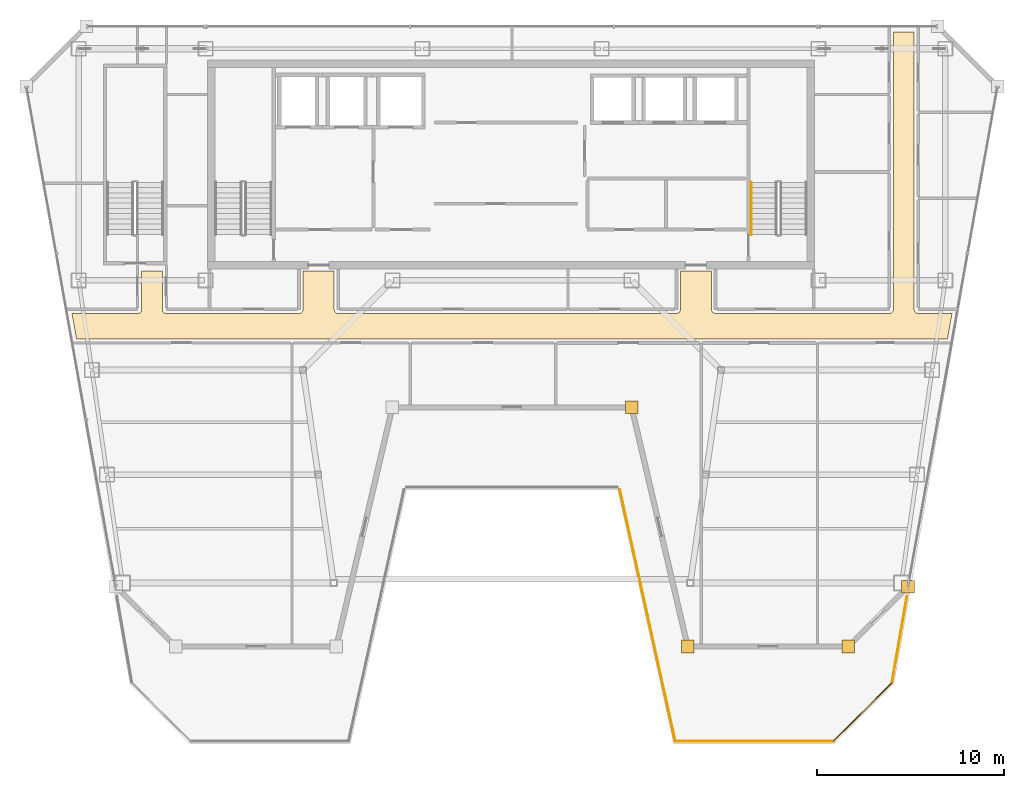
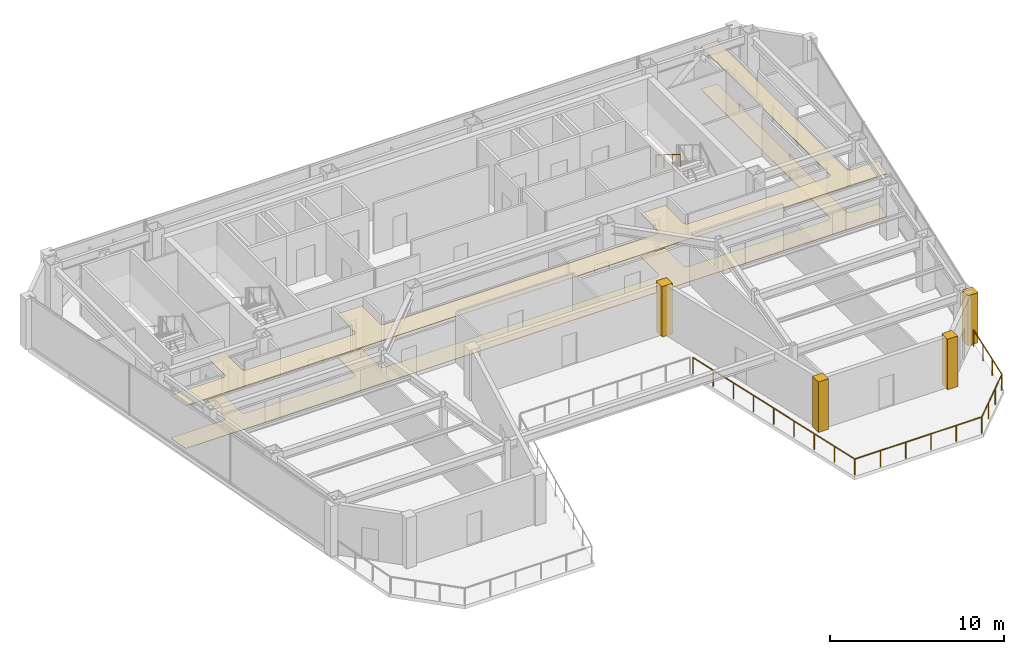
# One storey, part 26 of 28: 6 coverings, 5 railings.
"""IFC4 building model written with IfcOpenShell, lengths in metres."""

from ifc_helpers import new_model, si_unit, direction, frame, origin, origin_2d, place, context, subcontext, project, spatial, polyline, circle, outline, extrude, material, layer, layer_set, type_object, element, save


model = new_model("IFC4")

# Units and contexts
model_context = context("Model", 3, precision=1e-05, world=origin(), true_north=direction((0.0, 1.0)))
body_context = subcontext(model_context, "Body", "Model", "MODEL_VIEW")
ifc_project = project(units=[si_unit("LENGTHUNIT", "METRE"), si_unit("AREAUNIT", "SQUARE_METRE"), si_unit("VOLUMEUNIT", "CUBIC_METRE"), si_unit("PLANEANGLEUNIT", "RADIAN"), si_unit("MASSUNIT", "GRAM", prefix="KILO")], contexts=[model_context])

# Site, building, storey
site_placement = place(None, origin())
site = spatial("IfcSite", under=ifc_project, at=site_placement, CompositionType="ELEMENT")
building_placement = place(site_placement, origin())
building = spatial("IfcBuilding", under=site, at=building_placement, Name="Saevonmaru Cultural Tower", CompositionType="ELEMENT")
storey_placement = place(building_placement, frame((0.0, 0.0, 253.39990234375)))
storey = spatial("IfcBuildingStorey", under=building, at=storey_placement, Name="L59", CompositionType="ELEMENT", Elevation=253.39990234375)

# Coverings
ifc_material_1 = material(Name="Mineral Fibre Acoustic Ceiling", Category="gypsum")
ifc_layer_1 = layer(ifc_material_1, 0.044921875, Name="Mineral Fibre Acoustic Ceiling")
ifc_layer_set_1 = layer_set([ifc_layer_1], Name="Mineral Fibre Acoustic Ceiling")
covering_type_1 = type_object("IfcCoveringType", Name="CV-CEIL-ACOUSTIC", PredefinedType="CEILING", material=ifc_layer_set_1)
covering_1_placement = place(storey_placement, frame((0.0, 0.0, 3.0)))
element("IfcCovering", 1, at=covering_1_placement, inside=storey, type_object=covering_type_1, Name="L59 Corridor Acoustic Ceiling", PredefinedType="CEILING", context=body_context, shape_type="SweptSolid", body=[
    extrude(outline(polyline([(6.68505859375, 39.27001953125), (6.44189453125, 40.6298828125), (9.949951171875, 40.6298828125), (9.971923828125, 40.631103515625), (9.992919921875, 40.634033203125), (10.013916015625, 40.638916015625), (10.033935546875, 40.64697265625), (10.053955078125, 40.656005859375), (10.072021484375, 40.6669921875), (10.090087890625, 40.679931640625), (10.10595703125, 40.694091796875), (10.1201171875, 40.7099609375), (10.133056640625, 40.72802734375), (10.14404296875, 40.74609375), (10.153076171875, 40.76611328125), (10.160888671875, 40.785888671875), (10.166015625, 40.806884765625), (10.1689453125, 40.827880859375), (10.169921875, 40.85009765625), (10.169921875, 42.889892578125), (11.280029296875, 42.889892578125), (11.280029296875, 40.85009765625), (11.281005859375, 40.827880859375), (11.283935546875, 40.806884765625), (11.2890625, 40.785888671875), (11.297119140625, 40.76611328125), (11.305908203125, 40.74609375), (11.31689453125, 40.72802734375), (11.330078125, 40.7099609375), (11.343994140625, 40.694091796875), (11.360107421875, 40.679931640625), (11.3779296875, 40.6669921875), (11.39599609375, 40.656005859375), (11.416015625, 40.64697265625), (11.43603515625, 40.638916015625), (11.45703125, 40.634033203125), (11.47802734375, 40.631103515625), (11.5, 40.6298828125), (18.60009765625, 40.6298828125), (18.6220703125, 40.631103515625), (18.64306640625, 40.634033203125), (18.6640625, 40.638916015625), (18.68408203125, 40.64697265625), (18.7041015625, 40.656005859375), (18.721923828125, 40.6669921875), (18.739990234375, 40.679931640625), (18.756103515625, 40.694091796875), (18.77001953125, 40.7099609375), (18.782958984375, 40.72802734375), (18.7939453125, 40.74609375), (18.802978515625, 40.76611328125), (18.81103515625, 40.785888671875), (18.81591796875, 40.806884765625), (18.819091796875, 40.827880859375), (18.820068359375, 40.85009765625), (18.820068359375, 42.889892578125), (20.47998046875, 42.889892578125), (20.47998046875, 40.85009765625), (20.48095703125, 40.827880859375), (20.48388671875, 40.806884765625), (20.489013671875, 40.785888671875), (20.4970703125, 40.76611328125), (20.506103515625, 40.74609375), (20.51708984375, 40.72802734375), (20.530029296875, 40.7099609375), (20.5439453125, 40.694091796875), (20.56005859375, 40.679931640625), (20.577880859375, 40.6669921875), (20.595947265625, 40.656005859375), (20.615966796875, 40.64697265625), (20.635986328125, 40.638916015625), (20.656982421875, 40.634033203125), (20.677978515625, 40.631103515625), (20.699951171875, 40.6298828125), (38.800048828125, 40.6298828125), (38.822021484375, 40.631103515625), (38.843017578125, 40.634033203125), (38.864013671875, 40.638916015625), (38.884033203125, 40.64697265625), (38.904052734375, 40.656005859375), (38.922119140625, 40.6669921875), (38.93994140625, 40.679931640625), (38.9560546875, 40.694091796875), (38.969970703125, 40.7099609375), (38.98291015625, 40.72802734375), (38.993896484375, 40.74609375), (39.0029296875, 40.76611328125), (39.010986328125, 40.785888671875), (39.01611328125, 40.806884765625), (39.01904296875, 40.827880859375), (39.02001953125, 40.85009765625), (39.02001953125, 42.889892578125), (40.679931640625, 42.889892578125), (40.679931640625, 40.85009765625), (40.680908203125, 40.827880859375), (40.68408203125, 40.806884765625), (40.68896484375, 40.785888671875), (40.697021484375, 40.76611328125), (40.7060546875, 40.74609375), (40.717041015625, 40.72802734375), (40.72998046875, 40.7099609375), (40.743896484375, 40.694091796875), (40.760009765625, 40.679931640625), (40.778076171875, 40.6669921875), (40.7958984375, 40.656005859375), (40.81591796875, 40.64697265625), (40.8359375, 40.638916015625), (40.85693359375, 40.634033203125), (40.8779296875, 40.631103515625), (40.89990234375, 40.6298828125), (50.199951171875, 40.6298828125), (50.221923828125, 40.631103515625), (50.242919921875, 40.634033203125), (50.263916015625, 40.638916015625), (50.283935546875, 40.64697265625), (50.303955078125, 40.656005859375), (50.322021484375, 40.6669921875), (50.340087890625, 40.679931640625), (50.35595703125, 40.694091796875), (50.3701171875, 40.7099609375), (50.383056640625, 40.72802734375), (50.39404296875, 40.74609375), (50.403076171875, 40.76611328125), (50.410888671875, 40.785888671875), (50.416015625, 40.806884765625), (50.4189453125, 40.827880859375), (50.419921875, 40.85009765625), (50.419921875, 55.699951171875), (51.530029296875, 55.699951171875), (51.530029296875, 40.85009765625), (51.531005859375, 40.827880859375), (51.533935546875, 40.806884765625), (51.5390625, 40.785888671875), (51.547119140625, 40.76611328125), (51.555908203125, 40.74609375), (51.56689453125, 40.72802734375), (51.580078125, 40.7099609375), (51.593994140625, 40.694091796875), (51.610107421875, 40.679931640625), (51.6279296875, 40.6669921875), (51.64599609375, 40.656005859375), (51.666015625, 40.64697265625), (51.68603515625, 40.638916015625), (51.70703125, 40.634033203125), (51.72802734375, 40.631103515625), (51.75, 40.6298828125), (53.55810546875, 40.6298828125), (53.31494140625, 39.27001953125), (6.68505859375, 39.27001953125)])), origin(), (0.0, 0.0, 1.0), 0.045166015625),
])
ifc_material_2 = material(Name="Satin Bronze Anodised Aluminium", Category="aluminium")
ifc_layer_2 = layer(ifc_material_2, 0.679931640625, Name="Satin Bronze Anodised Aluminium")
ifc_layer_set_2 = layer_set([ifc_layer_2], Name="Satin Bronze Anodised Aluminium")
covering_type_2 = type_object("IfcCoveringType", Name="CV-CORNER-CLAD", PredefinedType="CLADDING", material=ifc_layer_set_2)
covering_2_placement = place(storey_placement, origin())
element("IfcCovering", 2, at=covering_2_placement, inside=storey, type_object=covering_type_2, Name="L59 Tower Bronze Corner Cladding Pier 5", PredefinedType="CLADDING", context=body_context, shape_type="SweptSolid", body=[
    extrude(outline(polyline([(36.06396484375, 35.260009765625), (36.743896484375, 35.260009765625), (36.743896484375, 35.93994140625), (36.06396484375, 35.93994140625), (36.06396484375, 35.260009765625)])), origin(), (0.0, 0.0, 1.0), 3.550048828125),
])
covering_3_placement = place(storey_placement, origin())
element("IfcCovering", 3, at=covering_3_placement, inside=storey, type_object=covering_type_2, Name="L59 Tower Bronze Corner Cladding Pier 6", PredefinedType="CLADDING", context=body_context, shape_type="SweptSolid", body=[
    extrude(outline(polyline([(39.06396484375, 22.4599609375), (39.743896484375, 22.4599609375), (39.743896484375, 23.139892578125), (39.06396484375, 23.139892578125), (39.06396484375, 22.4599609375)])), origin(), (0.0, 0.0, 1.0), 3.550048828125),
])
covering_4_placement = place(storey_placement, origin())
element("IfcCovering", 4, at=covering_4_placement, inside=storey, type_object=covering_type_2, Name="L59 Tower Bronze Corner Cladding Pier 7", PredefinedType="CLADDING", context=body_context, shape_type="SweptSolid", body=[
    extrude(outline(polyline([(47.6640625, 22.4599609375), (48.343994140625, 22.4599609375), (48.343994140625, 23.139892578125), (47.6640625, 23.139892578125), (47.6640625, 22.4599609375)])), origin(), (0.0, 0.0, 1.0), 3.550048828125),
])
covering_5_placement = place(storey_placement, origin())
element("IfcCovering", 5, at=covering_5_placement, inside=storey, type_object=covering_type_2, Name="L59 Tower Bronze Corner Cladding Pier 8", PredefinedType="CLADDING", context=body_context, shape_type="SweptSolid", body=[
    extrude(outline(polyline([(50.864013671875, 25.659912109375), (51.5439453125, 25.659912109375), (51.5439453125, 26.340087890625), (50.864013671875, 26.340087890625), (50.864013671875, 25.659912109375)])), origin(), (0.0, 0.0, 1.0), 3.550048828125),
])
ifc_material_3 = material(Name="Honed Granite Terrazzo", Category="masonry")
ifc_layer_3 = layer(ifc_material_3, 0.030029296875, Name="Honed Granite Terrazzo")
ifc_layer_set_3 = layer_set([ifc_layer_3], Name="Honed Granite Terrazzo")
covering_type_3 = type_object("IfcCoveringType", Name="CV-FLR-TERRAZZO", PredefinedType="FLOORING", material=ifc_layer_set_3)
covering_6_placement = place(storey_placement, origin())
element("IfcCovering", 6, at=covering_6_placement, inside=storey, type_object=covering_type_3, Name="L59 Corridor Terrazzo Flooring", PredefinedType="FLOORING", context=body_context, shape_type="SweptSolid", body=[
    extrude(outline(polyline([(6.68505859375, 39.27001953125), (6.44189453125, 40.6298828125), (9.949951171875, 40.6298828125), (9.971923828125, 40.631103515625), (9.992919921875, 40.634033203125), (10.013916015625, 40.638916015625), (10.033935546875, 40.64697265625), (10.053955078125, 40.656005859375), (10.072021484375, 40.6669921875), (10.090087890625, 40.679931640625), (10.10595703125, 40.694091796875), (10.1201171875, 40.7099609375), (10.133056640625, 40.72802734375), (10.14404296875, 40.74609375), (10.153076171875, 40.76611328125), (10.160888671875, 40.785888671875), (10.166015625, 40.806884765625), (10.1689453125, 40.827880859375), (10.169921875, 40.85009765625), (10.169921875, 42.889892578125), (11.280029296875, 42.889892578125), (11.280029296875, 40.85009765625), (11.281005859375, 40.827880859375), (11.283935546875, 40.806884765625), (11.2890625, 40.785888671875), (11.297119140625, 40.76611328125), (11.305908203125, 40.74609375), (11.31689453125, 40.72802734375), (11.330078125, 40.7099609375), (11.343994140625, 40.694091796875), (11.360107421875, 40.679931640625), (11.3779296875, 40.6669921875), (11.39599609375, 40.656005859375), (11.416015625, 40.64697265625), (11.43603515625, 40.638916015625), (11.45703125, 40.634033203125), (11.47802734375, 40.631103515625), (11.5, 40.6298828125), (18.60009765625, 40.6298828125), (18.6220703125, 40.631103515625), (18.64306640625, 40.634033203125), (18.6640625, 40.638916015625), (18.68408203125, 40.64697265625), (18.7041015625, 40.656005859375), (18.721923828125, 40.6669921875), (18.739990234375, 40.679931640625), (18.756103515625, 40.694091796875), (18.77001953125, 40.7099609375), (18.782958984375, 40.72802734375), (18.7939453125, 40.74609375), (18.802978515625, 40.76611328125), (18.81103515625, 40.785888671875), (18.81591796875, 40.806884765625), (18.819091796875, 40.827880859375), (18.820068359375, 40.85009765625), (18.820068359375, 42.889892578125), (20.47998046875, 42.889892578125), (20.47998046875, 40.85009765625), (20.48095703125, 40.827880859375), (20.48388671875, 40.806884765625), (20.489013671875, 40.785888671875), (20.4970703125, 40.76611328125), (20.506103515625, 40.74609375), (20.51708984375, 40.72802734375), (20.530029296875, 40.7099609375), (20.5439453125, 40.694091796875), (20.56005859375, 40.679931640625), (20.577880859375, 40.6669921875), (20.595947265625, 40.656005859375), (20.615966796875, 40.64697265625), (20.635986328125, 40.638916015625), (20.656982421875, 40.634033203125), (20.677978515625, 40.631103515625), (20.699951171875, 40.6298828125), (38.800048828125, 40.6298828125), (38.822021484375, 40.631103515625), (38.843017578125, 40.634033203125), (38.864013671875, 40.638916015625), (38.884033203125, 40.64697265625), (38.904052734375, 40.656005859375), (38.922119140625, 40.6669921875), (38.93994140625, 40.679931640625), (38.9560546875, 40.694091796875), (38.969970703125, 40.7099609375), (38.98291015625, 40.72802734375), (38.993896484375, 40.74609375), (39.0029296875, 40.76611328125), (39.010986328125, 40.785888671875), (39.01611328125, 40.806884765625), (39.01904296875, 40.827880859375), (39.02001953125, 40.85009765625), (39.02001953125, 42.889892578125), (40.679931640625, 42.889892578125), (40.679931640625, 40.85009765625), (40.680908203125, 40.827880859375), (40.68408203125, 40.806884765625), (40.68896484375, 40.785888671875), (40.697021484375, 40.76611328125), (40.7060546875, 40.74609375), (40.717041015625, 40.72802734375), (40.72998046875, 40.7099609375), (40.743896484375, 40.694091796875), (40.760009765625, 40.679931640625), (40.778076171875, 40.6669921875), (40.7958984375, 40.656005859375), (40.81591796875, 40.64697265625), (40.8359375, 40.638916015625), (40.85693359375, 40.634033203125), (40.8779296875, 40.631103515625), (40.89990234375, 40.6298828125), (50.199951171875, 40.6298828125), (50.221923828125, 40.631103515625), (50.242919921875, 40.634033203125), (50.263916015625, 40.638916015625), (50.283935546875, 40.64697265625), (50.303955078125, 40.656005859375), (50.322021484375, 40.6669921875), (50.340087890625, 40.679931640625), (50.35595703125, 40.694091796875), (50.3701171875, 40.7099609375), (50.383056640625, 40.72802734375), (50.39404296875, 40.74609375), (50.403076171875, 40.76611328125), (50.410888671875, 40.785888671875), (50.416015625, 40.806884765625), (50.4189453125, 40.827880859375), (50.419921875, 40.85009765625), (50.419921875, 55.699951171875), (51.530029296875, 55.699951171875), (51.530029296875, 40.85009765625), (51.531005859375, 40.827880859375), (51.533935546875, 40.806884765625), (51.5390625, 40.785888671875), (51.547119140625, 40.76611328125), (51.555908203125, 40.74609375), (51.56689453125, 40.72802734375), (51.580078125, 40.7099609375), (51.593994140625, 40.694091796875), (51.610107421875, 40.679931640625), (51.6279296875, 40.6669921875), (51.64599609375, 40.656005859375), (51.666015625, 40.64697265625), (51.68603515625, 40.638916015625), (51.70703125, 40.634033203125), (51.72802734375, 40.631103515625), (51.75, 40.6298828125), (53.55810546875, 40.6298828125), (53.31494140625, 39.27001953125), (6.68505859375, 39.27001953125)])), origin(), (0.0, 0.0, 1.0), 0.030029296875),
])

# Railings
railing_type_1 = type_object("IfcRailingType", Name="RL-BALUSTRADE-1150", PredefinedType="BALUSTRADE", material=ifc_material_2)
railing_1_placement = place(storey_placement, frame((51.146484375, 25.501220703125, 0.0)))
element("IfcRailing", 7, at=railing_1_placement, inside=storey, type_object=railing_type_1, Name="L59 Setback Terrace Balustrade 1-1", PredefinedType="BALUSTRADE", context=body_context, shape_type="SweptSolid", body=[
    extrude(circle(Radius=0.02392578125, at=origin_2d()), frame((0.0, 0.0, 1.1259765625), z_axis=(-0.170706578464, -0.985321908855, 0.0), x_axis=(0.985321908855, -0.170706578464, 0.0)), (0.0, 0.0, 1.0), 4.6923828125),
    extrude(circle(Radius=0.02099609375, at=origin_2d()), origin(), (0.0, 0.0, 1.0), 1.101806640625),
    extrude(circle(Radius=0.02099609375, at=origin_2d()), frame((-0.26708984375, -1.541259765625, 0.0)), (0.0, 0.0, 1.0), 1.101806640625),
    extrude(circle(Radius=0.02099609375, at=origin_2d()), frame((-0.533935546875, -3.082275390625, 0.0)), (0.0, 0.0, 1.0), 1.101806640625),
    extrude(circle(Radius=0.02099609375, at=origin_2d()), frame((-0.801025390625, -4.62353515625, 0.0)), (0.0, 0.0, 1.0), 1.101806640625),
])
railing_2_placement = place(storey_placement, frame((50.327880859375, 20.843994140625, 0.0)))
element("IfcRailing", 8, at=railing_2_placement, inside=storey, type_object=railing_type_1, Name="L59 Setback Terrace Balustrade 1-2", PredefinedType="BALUSTRADE", context=body_context, shape_type="SweptSolid", body=[
    extrude(circle(Radius=0.02392578125, at=origin_2d()), frame((0.0, 0.0, 1.1259765625), z_axis=(-0.707106781187, -0.707106781187, 0.0), x_axis=(0.707106781187, -0.707106781187, 0.0)), (0.0, 0.0, 1.0), 4.39794921875),
    extrude(circle(Radius=0.02099609375, at=origin_2d()), origin(), (0.0, 0.0, 1.0), 1.101806640625),
    extrude(circle(Radius=0.02099609375, at=origin_2d()), frame((-1.03662109375, -1.03662109375, 0.0)), (0.0, 0.0, 1.0), 1.101806640625),
    extrude(circle(Radius=0.02099609375, at=origin_2d()), frame((-2.0732421875, -2.0732421875, 0.0)), (0.0, 0.0, 1.0), 1.101806640625),
    extrude(circle(Radius=0.02099609375, at=origin_2d()), frame((-3.10986328125, -3.10986328125, 0.0)), (0.0, 0.0, 1.0), 1.101806640625),
])
railing_3_placement = place(storey_placement, frame((47.18408203125, 17.719970703125, 0.0)))
element("IfcRailing", 9, at=railing_3_placement, inside=storey, type_object=railing_type_1, Name="L59 Setback Terrace Balustrade 1-3", PredefinedType="BALUSTRADE", context=body_context, shape_type="SweptSolid", body=[
    extrude(circle(Radius=0.02392578125, at=origin_2d()), frame((0.0, 0.0, 1.1259765625), z_axis=(-1.0, 0.0, 0.0), x_axis=(0.0, -1.0, 0.0)), (0.0, 0.0, 1.0), 8.4140625),
    extrude(circle(Radius=0.02099609375, at=origin_2d()), origin(), (0.0, 0.0, 1.0), 1.101806640625),
    extrude(circle(Radius=0.02099609375, at=origin_2d()), frame((-1.682861328125, 0.0, 0.0)), (0.0, 0.0, 1.0), 1.101806640625),
    extrude(circle(Radius=0.02099609375, at=origin_2d()), frame((-3.36572265625, 0.0, 0.0)), (0.0, 0.0, 1.0), 1.101806640625),
    extrude(circle(Radius=0.02099609375, at=origin_2d()), frame((-5.04833984375, 0.0, 0.0)), (0.0, 0.0, 1.0), 1.101806640625),
    extrude(circle(Radius=0.02099609375, at=origin_2d()), frame((-6.731201171875, 0.0, 0.0)), (0.0, 0.0, 1.0), 1.101806640625),
    extrude(circle(Radius=0.02099609375, at=origin_2d()), frame((-8.4140625, 0.0, 0.0)), (0.0, 0.0, 1.0), 1.101806640625),
])
railing_4_placement = place(storey_placement, frame((38.74560546875, 17.739501953125, 0.0)))
element("IfcRailing", 10, at=railing_4_placement, inside=storey, type_object=railing_type_1, Name="L59 Setback Terrace Balustrade 1-4", PredefinedType="BALUSTRADE", context=body_context, shape_type="SweptSolid", body=[
    extrude(circle(Radius=0.02392578125, at=origin_2d()), frame((0.0, 0.0, 1.1259765625), z_axis=(-0.215445653227, 0.976515832184, 0.0), x_axis=(-0.976515832184, -0.215445653227, 0.0)), (0.0, 0.0, 1.0), 13.791015625),
    extrude(circle(Radius=0.02099609375, at=origin_2d()), origin(), (0.0, 0.0, 1.0), 1.101806640625),
    extrude(circle(Radius=0.02099609375, at=origin_2d()), frame((-0.371337890625, 1.683349609375, 0.0)), (0.0, 0.0, 1.0), 1.101806640625),
    extrude(circle(Radius=0.02099609375, at=origin_2d()), frame((-0.74267578125, 3.36669921875, 0.0)), (0.0, 0.0, 1.0), 1.101806640625),
    extrude(circle(Radius=0.02099609375, at=origin_2d()), frame((-1.1142578125, 5.050048828125, 0.0)), (0.0, 0.0, 1.0), 1.101806640625),
    extrude(circle(Radius=0.02099609375, at=origin_2d()), frame((-1.485595703125, 6.7333984375, 0.0)), (0.0, 0.0, 1.0), 1.101806640625),
    extrude(circle(Radius=0.02099609375, at=origin_2d()), frame((-1.85693359375, 8.4169921875, 0.0)), (0.0, 0.0, 1.0), 1.101806640625),
    extrude(circle(Radius=0.02099609375, at=origin_2d()), frame((-2.228515625, 10.100341796875, 0.0)), (0.0, 0.0, 1.0), 1.101806640625),
    extrude(circle(Radius=0.02099609375, at=origin_2d()), frame((-2.599853515625, 11.78369140625, 0.0)), (0.0, 0.0, 1.0), 1.101806640625),
    extrude(circle(Radius=0.02099609375, at=origin_2d()), frame((-2.97119140625, 13.467041015625, 0.0)), (0.0, 0.0, 1.0), 1.101806640625),
])
railing_type_2 = type_object("IfcRailingType", Name="RL-STAIR-HANDRAIL", PredefinedType="HANDRAIL", material=ifc_material_2)
railing_5_placement = place(storey_placement, frame((42.800048828125, 47.64990234375, 2.07275390625)))
element("IfcRailing", 11, at=railing_5_placement, inside=storey, type_object=railing_type_2, Name="L59 ST-2 stair handrail 2", PredefinedType="HANDRAIL", context=body_context, shape_type="SweptSolid", body=[
    extrude(circle(Radius=0.02392578125, at=origin_2d()), frame((0.0, 0.0, 0.8759765625), z_axis=(0.0, -0.851069175582, 0.525053576669), x_axis=(1.0, 0.0, 0.0)), (0.0, 0.0, 1.0), 3.289794921875),
    extrude(circle(Radius=0.02099609375, at=origin_2d()), origin(), (0.0, 0.0, 1.0), 0.851806640625),
    extrude(circle(Radius=0.02099609375, at=origin_2d()), frame((0.0, -0.933349609375, 0.57568359375)), (0.0, 0.0, 1.0), 0.851806640625),
    extrude(circle(Radius=0.02099609375, at=origin_2d()), frame((0.0, -1.866455078125, 1.151611328125)), (0.0, 0.0, 1.0), 0.851806640625),
    extrude(circle(Radius=0.02099609375, at=origin_2d()), frame((0.0, -2.7998046875, 1.727294921875)), (0.0, 0.0, 1.0), 0.851806640625),
])

save(model, "model.ifc")
